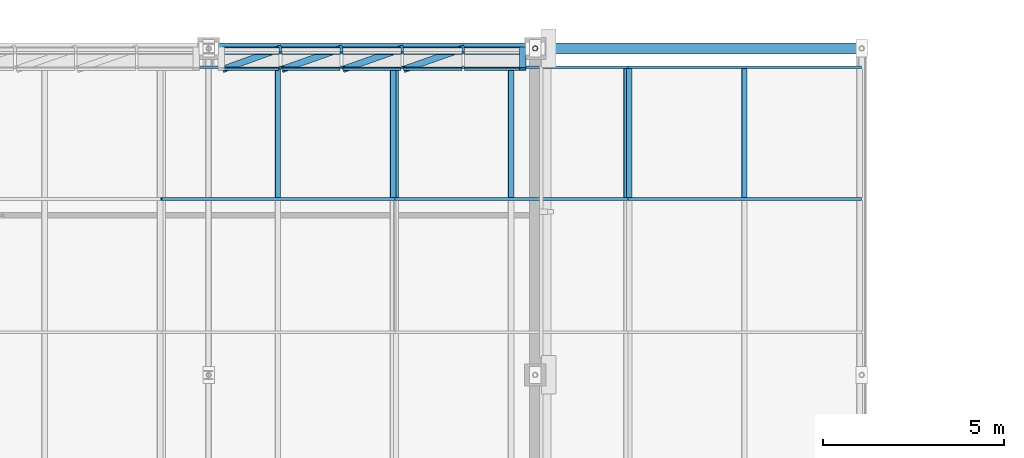
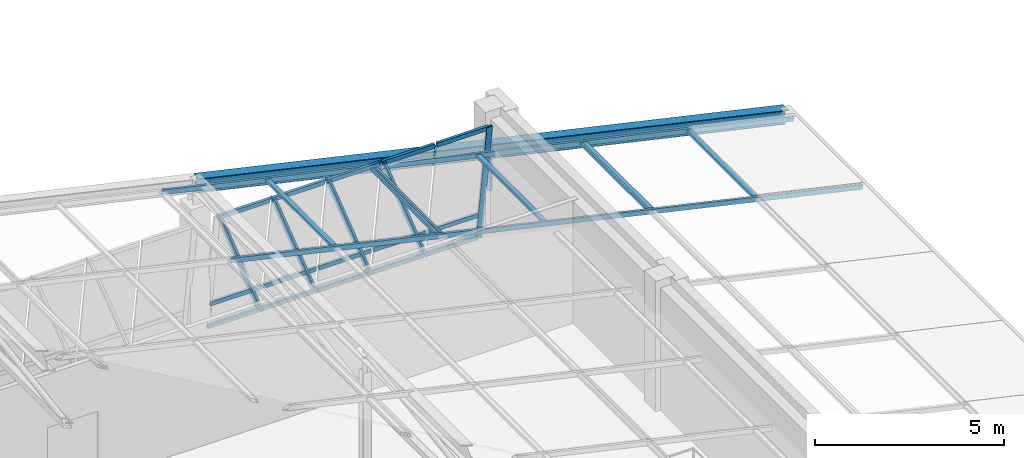
# One storey, part 98 of 130: 36 members, 4 elements without a shape of their own.
"""IFC4 building model written with IfcOpenShell, lengths in metres."""

from ifc_helpers import new_model, si_unit, direction, frame, origin, origin_2d, place, context, subcontext, project, spatial, hollow_rectangle, hollow_circle, i_section, extrude, material, material_profile, profile_set, type_object, element, aggregate, save


model = new_model("IFC4")

# Units and contexts
model_context = context("Model", 3, precision=1e-05, world=origin(), true_north=direction((0.0, 1.0)))
body_context = subcontext(model_context, "Body", "Model", "MODEL_VIEW")
ifc_project = project(units=[si_unit("LENGTHUNIT", "METRE"), si_unit("AREAUNIT", "SQUARE_METRE"), si_unit("VOLUMEUNIT", "CUBIC_METRE"), si_unit("PLANEANGLEUNIT", "RADIAN"), si_unit("MASSUNIT", "GRAM", prefix="KILO")], contexts=[model_context])

# Site, building, storey
site_placement = place(None, origin())
site = spatial("IfcSite", under=ifc_project, at=site_placement, CompositionType="ELEMENT")
building_placement = place(site_placement, origin())
building = spatial("IfcBuilding", under=site, at=building_placement, Name="Lykobir Media Centre", CompositionType="ELEMENT")
storey_placement = place(building_placement, frame((0.0, 0.0, 19.199951171875)))
storey = spatial("IfcBuildingStorey", under=building, at=storey_placement, Name="L04", CompositionType="ELEMENT", Elevation=19.199951171875)

# Member
ifc_material_1 = material(Name="Steel S355", Category="steel")
ifc_material_profile_1 = material_profile(ifc_material_1, hollow_circle(Radius=0.06982421875, WallThickness=0.008056640625, at=origin_2d()), Name="CHS 139.7x8.0")
ifc_profile_set_1 = profile_set([ifc_material_profile_1], Name="Steel S355")
member_type_1 = type_object("IfcMemberType", Name="BR-CHS140", PredefinedType="BRACE", material=ifc_profile_set_1)
member_1_placement = place(storey_placement, frame((72.0, 108.0, 2.780029296875), z_axis=(0.0, 0.0, -1.0), x_axis=(1.0, 0.0, 0.0)))
element("IfcMember", 1, at=member_1_placement, inside=storey, type_object=member_type_1, Name="Diagonal brace MEM2-L04-0720-1080-0220-0720-1080-0495", PredefinedType="BRACE", context=body_context, shape_type="SweptSolid", body=[
    extrude(hollow_circle(Radius=0.06982421875, WallThickness=0.008056640625, at=origin_2d()), origin(), (0.0, 0.0, 1.0), 1.35009765625),
])

# Curtain wall, members
ifc_material_2 = material(Name="Anodized Aluminium AW-6060", Category="aluminium")
curtain_wall_type_1 = type_object("IfcCurtainWallType", Name="CW-V6-CR4", PredefinedType="NOTDEFINED", material=ifc_material_2)
curtain_wall_1_placement = place(storey_placement, origin())
curtain_wall_1 = element("IfcCurtainWall", 2, at=curtain_wall_1_placement, inside=storey, type_object=curtain_wall_type_1, Name="Curtain wall CW2-L04-0166", PredefinedType="NOTDEFINED")
ifc_material_profile_2 = material_profile(ifc_material_2, hollow_rectangle(XDim=0.074951171875, YDim=0.179931640625, WallThickness=0.00390625, at=origin_2d()), Name="ALU MULLION 75x180")
ifc_profile_set_2 = profile_set([ifc_material_profile_2], Name="Anodized Aluminium AW-6060")
member_type_2 = type_object("IfcMemberType", Name="CWM-180", PredefinedType="MULLION", material=ifc_profile_set_2)
member_2_placement = place(storey_placement, frame((64.98291015625, 108.0, 0.0), z_axis=(-0.365976570158, -0.132760683435, 0.921105721961), x_axis=(0.86589329552, 0.314109139953, 0.389312533796)))
member_2 = element("IfcMember", 3, at=member_2_placement, type_object=member_type_2, Name="CW2-L04-0166 mullion 2", PredefinedType="MULLION", context=body_context, shape_type="SweptSolid", body=[
    extrude(hollow_rectangle(XDim=0.074951171875, YDim=0.179931640625, WallThickness=0.00390625, at=origin_2d()), origin(), (0.0, 0.0, 1.0), 4.27734375),
])
member_3_placement = place(storey_placement, frame((66.660888671875, 108.0, 0.0), z_axis=(-0.374579600655, -0.132271466696, 0.917711491631), x_axis=(0.865344548286, 0.305570277716, 0.397247552703)))
member_3 = element("IfcMember", 4, at=member_3_placement, type_object=member_type_2, Name="CW2-L04-0166 mullion 3", PredefinedType="MULLION", context=body_context, shape_type="SweptSolid", body=[
    extrude(hollow_rectangle(XDim=0.074951171875, YDim=0.179931640625, WallThickness=0.00390625, at=origin_2d()), origin(), (0.0, 0.0, 1.0), 4.293212890625),
])
member_4_placement = place(storey_placement, frame((68.339111328125, 108.0, 0.0), z_axis=(-0.374628486657, -0.132268649053, 0.917691942573), x_axis=(0.865340676514, 0.305522527865, 0.397292711407)))
member_4 = element("IfcMember", 5, at=member_4_placement, type_object=member_type_2, Name="CW2-L04-0166 mullion 4", PredefinedType="MULLION", context=body_context, shape_type="SweptSolid", body=[
    extrude(hollow_rectangle(XDim=0.074951171875, YDim=0.179931640625, WallThickness=0.00390625, at=origin_2d()), origin(), (0.0, 0.0, 1.0), 4.293212890625),
])
member_5_placement = place(storey_placement, frame((70.01708984375, 108.0, 0.0), z_axis=(-0.374628486657, -0.132268649053, 0.917691942573), x_axis=(0.865340676514, 0.305522527865, 0.397292711407)))
member_5 = element("IfcMember", 6, at=member_5_placement, type_object=member_type_2, Name="CW2-L04-0166 mullion 5", PredefinedType="MULLION", context=body_context, shape_type="SweptSolid", body=[
    extrude(hollow_rectangle(XDim=0.074951171875, YDim=0.179931640625, WallThickness=0.00390625, at=origin_2d()), origin(), (0.0, 0.0, 1.0), 4.293212890625),
])
member_6_placement = place(storey_placement, frame((71.657470703125, 108.0, 0.0), z_axis=(0.0, -0.142657694389, 0.989772086003), x_axis=(0.0, 0.989772086003, 0.142657694389)))
member_6 = element("IfcMember", 7, at=member_6_placement, type_object=member_type_2, Name="CW2-L04-0166 mullion 6", PredefinedType="MULLION", context=body_context, shape_type="SweptSolid", body=[
    extrude(hollow_rectangle(XDim=0.074951171875, YDim=0.179931640625, WallThickness=0.00390625, at=origin_2d()), origin(), (0.0, 0.0, 1.0), 3.980712890625),
])
ifc_material_profile_3 = material_profile(ifc_material_2, hollow_rectangle(XDim=0.074951171875, YDim=0.14990234375, WallThickness=0.00341796875, at=origin_2d()), Name="ALU TRANSOM 75x150")
ifc_profile_set_3 = profile_set([ifc_material_profile_3], Name="Anodized Aluminium AW-6060")
member_type_3 = type_object("IfcMemberType", Name="CWT-150", PredefinedType="USERDEFINED", material=ifc_profile_set_3)
member_7_placement = place(storey_placement, frame((63.3798828125, 107.99462890625, 0.037109375), z_axis=(1.0, 0.0, 0.0), x_axis=(0.0, 0.989776230908, 0.142628933706)))
member_7 = element("IfcMember", 8, at=member_7_placement, type_object=member_type_3, Name="CW2-L04-0166 transom 1.1", ObjectType="TRANSOM", PredefinedType="USERDEFINED", context=body_context, shape_type="SweptSolid", body=[
    extrude(hollow_rectangle(XDim=0.074951171875, YDim=0.14990234375, WallThickness=0.00341796875, at=origin_2d()), origin(), (0.0, 0.0, 1.0), 1.565673828125),
])
member_8_placement = place(storey_placement, frame((63.3798828125, 107.87890625, 0.84130859375), z_axis=(1.0, 0.0, 0.0), x_axis=(0.0, 0.989776230908, 0.142628933706)))
member_8 = element("IfcMember", 9, at=member_8_placement, type_object=member_type_3, Name="CW2-L04-0166 transom 1.2", ObjectType="TRANSOM", PredefinedType="USERDEFINED", context=body_context, shape_type="SweptSolid", body=[
    extrude(hollow_rectangle(XDim=0.074951171875, YDim=0.14990234375, WallThickness=0.00341796875, at=origin_2d()), origin(), (0.0, 0.0, 1.0), 1.565673828125),
])
member_9_placement = place(storey_placement, frame((63.3798828125, 107.4375, 3.90283203125), z_axis=(1.0, 0.0, 0.0), x_axis=(0.0, 0.989776230908, 0.142628933706)))
member_9 = element("IfcMember", 10, at=member_9_placement, type_object=member_type_3, Name="CW2-L04-0166 transom 1.3", ObjectType="TRANSOM", PredefinedType="USERDEFINED", context=body_context, shape_type="SweptSolid", body=[
    extrude(hollow_rectangle(XDim=0.074951171875, YDim=0.14990234375, WallThickness=0.00341796875, at=origin_2d()), origin(), (0.0, 0.0, 1.0), 1.565673828125),
])
member_10_placement = place(storey_placement, frame((65.0205078125, 107.99462890625, 0.037109375), z_axis=(1.0, 0.0, 0.0), x_axis=(0.0, 0.989776230908, 0.142628933706)))
member_10 = element("IfcMember", 11, at=member_10_placement, type_object=member_type_3, Name="CW2-L04-0166 transom 2.1", ObjectType="TRANSOM", PredefinedType="USERDEFINED", context=body_context, shape_type="SweptSolid", body=[
    extrude(hollow_rectangle(XDim=0.074951171875, YDim=0.14990234375, WallThickness=0.00341796875, at=origin_2d()), origin(), (0.0, 0.0, 1.0), 1.60302734375),
])
member_11_placement = place(storey_placement, frame((65.0205078125, 107.87890625, 0.84130859375), z_axis=(1.0, 0.0, 0.0), x_axis=(0.0, 0.989776230908, 0.142628933706)))
member_11 = element("IfcMember", 12, at=member_11_placement, type_object=member_type_3, Name="CW2-L04-0166 transom 2.2", ObjectType="TRANSOM", PredefinedType="USERDEFINED", context=body_context, shape_type="SweptSolid", body=[
    extrude(hollow_rectangle(XDim=0.074951171875, YDim=0.14990234375, WallThickness=0.00341796875, at=origin_2d()), origin(), (0.0, 0.0, 1.0), 1.60302734375),
])
member_12_placement = place(storey_placement, frame((65.0205078125, 107.4375, 3.90283203125), z_axis=(1.0, 0.0, 0.0), x_axis=(0.0, 0.989776230908, 0.142628933706)))
member_12 = element("IfcMember", 13, at=member_12_placement, type_object=member_type_3, Name="CW2-L04-0166 transom 2.3", ObjectType="TRANSOM", PredefinedType="USERDEFINED", context=body_context, shape_type="SweptSolid", body=[
    extrude(hollow_rectangle(XDim=0.074951171875, YDim=0.14990234375, WallThickness=0.00341796875, at=origin_2d()), origin(), (0.0, 0.0, 1.0), 1.60302734375),
])
member_13_placement = place(storey_placement, frame((66.698486328125, 107.99462890625, 0.037109375), z_axis=(1.0, 0.0, 0.0), x_axis=(0.0, 0.989776230908, 0.142628933706)))
member_13 = element("IfcMember", 14, at=member_13_placement, type_object=member_type_3, Name="CW2-L04-0166 transom 3.1", ObjectType="TRANSOM", PredefinedType="USERDEFINED", context=body_context, shape_type="SweptSolid", body=[
    extrude(hollow_rectangle(XDim=0.074951171875, YDim=0.14990234375, WallThickness=0.00341796875, at=origin_2d()), origin(), (0.0, 0.0, 1.0), 1.60302734375),
])
member_14_placement = place(storey_placement, frame((66.698486328125, 107.87890625, 0.84130859375), z_axis=(1.0, 0.0, 0.0), x_axis=(0.0, 0.989776230908, 0.142628933706)))
member_14 = element("IfcMember", 15, at=member_14_placement, type_object=member_type_3, Name="CW2-L04-0166 transom 3.2", ObjectType="TRANSOM", PredefinedType="USERDEFINED", context=body_context, shape_type="SweptSolid", body=[
    extrude(hollow_rectangle(XDim=0.074951171875, YDim=0.14990234375, WallThickness=0.00341796875, at=origin_2d()), origin(), (0.0, 0.0, 1.0), 1.60302734375),
])
member_15_placement = place(storey_placement, frame((66.698486328125, 107.4375, 3.90283203125), z_axis=(1.0, 0.0, 0.0), x_axis=(0.0, 0.989776230908, 0.142628933706)))
member_15 = element("IfcMember", 16, at=member_15_placement, type_object=member_type_3, Name="CW2-L04-0166 transom 3.3", ObjectType="TRANSOM", PredefinedType="USERDEFINED", context=body_context, shape_type="SweptSolid", body=[
    extrude(hollow_rectangle(XDim=0.074951171875, YDim=0.14990234375, WallThickness=0.00341796875, at=origin_2d()), origin(), (0.0, 0.0, 1.0), 1.60302734375),
])
member_16_placement = place(storey_placement, frame((68.37646484375, 107.99462890625, 0.037109375), z_axis=(1.0, 0.0, 0.0), x_axis=(0.0, 0.989776230908, 0.142628933706)))
member_16 = element("IfcMember", 17, at=member_16_placement, type_object=member_type_3, Name="CW2-L04-0166 transom 4.1", ObjectType="TRANSOM", PredefinedType="USERDEFINED", context=body_context, shape_type="SweptSolid", body=[
    extrude(hollow_rectangle(XDim=0.074951171875, YDim=0.14990234375, WallThickness=0.00341796875, at=origin_2d()), origin(), (0.0, 0.0, 1.0), 1.60302734375),
])
member_17_placement = place(storey_placement, frame((68.37646484375, 107.87890625, 0.84130859375), z_axis=(1.0, 0.0, 0.0), x_axis=(0.0, 0.989776230908, 0.142628933706)))
member_17 = element("IfcMember", 18, at=member_17_placement, type_object=member_type_3, Name="CW2-L04-0166 transom 4.2", ObjectType="TRANSOM", PredefinedType="USERDEFINED", context=body_context, shape_type="SweptSolid", body=[
    extrude(hollow_rectangle(XDim=0.074951171875, YDim=0.14990234375, WallThickness=0.00341796875, at=origin_2d()), origin(), (0.0, 0.0, 1.0), 1.60302734375),
])
member_18_placement = place(storey_placement, frame((68.37646484375, 107.4375, 3.90283203125), z_axis=(1.0, 0.0, 0.0), x_axis=(0.0, 0.989776230908, 0.142628933706)))
member_18 = element("IfcMember", 19, at=member_18_placement, type_object=member_type_3, Name="CW2-L04-0166 transom 4.3", ObjectType="TRANSOM", PredefinedType="USERDEFINED", context=body_context, shape_type="SweptSolid", body=[
    extrude(hollow_rectangle(XDim=0.074951171875, YDim=0.14990234375, WallThickness=0.00341796875, at=origin_2d()), origin(), (0.0, 0.0, 1.0), 1.60302734375),
])
member_19_placement = place(storey_placement, frame((70.054443359375, 107.99462890625, 0.037109375), z_axis=(1.0, 0.0, 0.0), x_axis=(0.0, 0.989776230908, 0.142628933706)))
member_19 = element("IfcMember", 20, at=member_19_placement, type_object=member_type_3, Name="CW2-L04-0166 transom 5.1", ObjectType="TRANSOM", PredefinedType="USERDEFINED", context=body_context, shape_type="SweptSolid", body=[
    extrude(hollow_rectangle(XDim=0.074951171875, YDim=0.14990234375, WallThickness=0.00341796875, at=origin_2d()), origin(), (0.0, 0.0, 1.0), 1.565673828125),
])
member_20_placement = place(storey_placement, frame((70.054443359375, 107.87890625, 0.84130859375), z_axis=(1.0, 0.0, 0.0), x_axis=(0.0, 0.989776230908, 0.142628933706)))
member_20 = element("IfcMember", 21, at=member_20_placement, type_object=member_type_3, Name="CW2-L04-0166 transom 5.2", ObjectType="TRANSOM", PredefinedType="USERDEFINED", context=body_context, shape_type="SweptSolid", body=[
    extrude(hollow_rectangle(XDim=0.074951171875, YDim=0.14990234375, WallThickness=0.00341796875, at=origin_2d()), origin(), (0.0, 0.0, 1.0), 1.565673828125),
])
member_21_placement = place(storey_placement, frame((70.054443359375, 107.4375, 3.90283203125), z_axis=(1.0, 0.0, 0.0), x_axis=(0.0, 0.989776230908, 0.142628933706)))
member_21 = element("IfcMember", 22, at=member_21_placement, type_object=member_type_3, Name="CW2-L04-0166 transom 5.3", ObjectType="TRANSOM", PredefinedType="USERDEFINED", context=body_context, shape_type="SweptSolid", body=[
    extrude(hollow_rectangle(XDim=0.074951171875, YDim=0.14990234375, WallThickness=0.00341796875, at=origin_2d()), origin(), (0.0, 0.0, 1.0), 1.565673828125),
])
aggregate(curtain_wall_1, [member_2, member_3, member_4, member_5, member_6, member_7, member_8, member_9, member_10, member_11, member_12, member_13, member_14, member_15, member_16, member_17, member_18, member_19, member_20, member_21])

curtain_wall_type_2 = type_object("IfcCurtainWallType", Name="CW-V6-SKY", PredefinedType="NOTDEFINED", material=ifc_material_2)
curtain_wall_2_placement = place(storey_placement, origin())
curtain_wall_2 = element("IfcCurtainWall", 23, at=curtain_wall_2_placement, inside=storey, type_object=curtain_wall_type_2, Name="Curtain wall CW-V6-SKY01", PredefinedType="NOTDEFINED")
member_22_placement = place(storey_placement, frame((80.977783203125, 107.482421875, 0.901611328125), z_axis=(-0.97526330388, 0.0, 0.221046348318), x_axis=(0.0, -1.0, 0.0)))
member_22 = element("IfcMember", 24, at=member_22_placement, type_object=member_type_3, Name="CW-V6-SKY01 rafter transom 1", ObjectType="TRANSOM", PredefinedType="USERDEFINED", context=body_context, shape_type="SweptSolid", body=[
    extrude(hollow_rectangle(XDim=0.074951171875, YDim=0.14990234375, WallThickness=0.00341796875, at=origin_2d()), origin(), (0.0, 0.0, 1.0), 6.591552734375),
])
member_23_placement = place(storey_placement, frame((80.977783203125, 103.85009765625, 0.901611328125), z_axis=(-0.97526330388, 0.0, 0.221046348318), x_axis=(0.0, -1.0, 0.0)))
member_23 = element("IfcMember", 25, at=member_23_placement, type_object=member_type_3, Name="CW-V6-SKY01 rafter transom 2", ObjectType="TRANSOM", PredefinedType="USERDEFINED", context=body_context, shape_type="SweptSolid", body=[
    extrude(hollow_rectangle(XDim=0.074951171875, YDim=0.14990234375, WallThickness=0.00341796875, at=origin_2d()), origin(), (0.0, 0.0, 1.0), 6.591552734375),
])
member_24_placement = place(storey_placement, frame((77.763427734375, 107.445068359375, 1.630126953125), z_axis=(0.0, -1.0, 0.0), x_axis=(0.221054901821, 0.0, 0.975261365164)))
member_24 = element("IfcMember", 26, at=member_24_placement, type_object=member_type_3, Name="CW-V6-SKY01 transom 1.2", ObjectType="TRANSOM", PredefinedType="USERDEFINED", context=body_context, shape_type="SweptSolid", body=[
    extrude(hollow_rectangle(XDim=0.074951171875, YDim=0.14990234375, WallThickness=0.00341796875, at=origin_2d()), origin(), (0.0, 0.0, 1.0), 3.5576171875),
])
member_25_placement = place(storey_placement, frame((74.585693359375, 107.445068359375, 2.350341796875), z_axis=(0.0, -1.0, 0.0), x_axis=(0.221054901821, 0.0, 0.975261365164)))
member_25 = element("IfcMember", 27, at=member_25_placement, type_object=member_type_3, Name="CW-V6-SKY01 transom 1.3", ObjectType="TRANSOM", PredefinedType="USERDEFINED", context=body_context, shape_type="SweptSolid", body=[
    extrude(hollow_rectangle(XDim=0.074951171875, YDim=0.14990234375, WallThickness=0.00341796875, at=origin_2d()), origin(), (0.0, 0.0, 1.0), 3.5576171875),
])
aggregate(curtain_wall_2, [member_22, member_23, member_24, member_25])

curtain_wall_3_placement = place(storey_placement, origin())
curtain_wall_3 = element("IfcCurtainWall", 28, at=curtain_wall_3_placement, inside=storey, type_object=curtain_wall_type_2, Name="Curtain wall CW-V6-SKY02", PredefinedType="NOTDEFINED")
member_26_placement = place(storey_placement, frame((74.549072265625, 107.482421875, 2.358642578125), z_axis=(-0.975255318588, 0.0, 0.221081576721), x_axis=(0.0, -1.0, 0.0)))
member_26 = element("IfcMember", 29, at=member_26_placement, type_object=member_type_3, Name="CW-V6-SKY02 rafter transom 1", ObjectType="TRANSOM", PredefinedType="USERDEFINED", context=body_context, shape_type="SweptSolid", body=[
    extrude(hollow_rectangle(XDim=0.074951171875, YDim=0.14990234375, WallThickness=0.00341796875, at=origin_2d()), origin(), (0.0, 0.0, 1.0), 6.591552734375),
])
member_27_placement = place(storey_placement, frame((74.549072265625, 103.85009765625, 2.358642578125), z_axis=(-0.975255318588, 0.0, 0.221081576721), x_axis=(0.0, -1.0, 0.0)))
member_27 = element("IfcMember", 30, at=member_27_placement, type_object=member_type_3, Name="CW-V6-SKY02 rafter transom 2", ObjectType="TRANSOM", PredefinedType="USERDEFINED", context=body_context, shape_type="SweptSolid", body=[
    extrude(hollow_rectangle(XDim=0.074951171875, YDim=0.14990234375, WallThickness=0.00341796875, at=origin_2d()), origin(), (0.0, 0.0, 1.0), 6.591552734375),
])
member_28_placement = place(storey_placement, frame((74.512451171875, 107.445068359375, 2.366943359375), z_axis=(0.0, -1.0, 0.0), x_axis=(0.221071923309, 0.0, 0.975257506879)))
member_28 = element("IfcMember", 31, at=member_28_placement, type_object=member_type_3, Name="CW-V6-SKY02 transom 1.1", ObjectType="TRANSOM", PredefinedType="USERDEFINED", context=body_context, shape_type="SweptSolid", body=[
    extrude(hollow_rectangle(XDim=0.074951171875, YDim=0.14990234375, WallThickness=0.00341796875, at=origin_2d()), origin(), (0.0, 0.0, 1.0), 3.5576171875),
])
member_29_placement = place(storey_placement, frame((71.334716796875, 107.445068359375, 3.087158203125), z_axis=(0.0, -1.0, 0.0), x_axis=(0.221071923309, 0.0, 0.975257506879)))
member_29 = element("IfcMember", 32, at=member_29_placement, type_object=member_type_3, Name="CW-V6-SKY02 transom 1.2", ObjectType="TRANSOM", PredefinedType="USERDEFINED", context=body_context, shape_type="SweptSolid", body=[
    extrude(hollow_rectangle(XDim=0.074951171875, YDim=0.14990234375, WallThickness=0.00341796875, at=origin_2d()), origin(), (0.0, 0.0, 1.0), 3.5576171875),
])
member_30_placement = place(storey_placement, frame((68.1572265625, 107.445068359375, 3.8076171875), z_axis=(0.0, -1.0, 0.0), x_axis=(0.221071923309, 0.0, 0.975257506879)))
member_30 = element("IfcMember", 33, at=member_30_placement, type_object=member_type_3, Name="CW-V6-SKY02 transom 1.3", ObjectType="TRANSOM", PredefinedType="USERDEFINED", context=body_context, shape_type="SweptSolid", body=[
    extrude(hollow_rectangle(XDim=0.074951171875, YDim=0.14990234375, WallThickness=0.00341796875, at=origin_2d()), origin(), (0.0, 0.0, 1.0), 3.5576171875),
])
aggregate(curtain_wall_3, [member_26, member_27, member_28, member_29, member_30])

curtain_wall_4_placement = place(storey_placement, origin())
curtain_wall_4 = element("IfcCurtainWall", 34, at=curtain_wall_4_placement, inside=storey, type_object=curtain_wall_type_2, Name="Curtain wall CW-V6-SKY03", PredefinedType="NOTDEFINED")
member_31_placement = place(storey_placement, frame((68.12060546875, 107.482421875, 3.81591796875), z_axis=(-0.97526330388, 0.0, 0.221046348318), x_axis=(0.0, -1.0, 0.0)))
member_31 = element("IfcMember", 35, at=member_31_placement, type_object=member_type_3, Name="CW-V6-SKY03 rafter transom 1", ObjectType="TRANSOM", PredefinedType="USERDEFINED", context=body_context, shape_type="SweptSolid", body=[
    extrude(hollow_rectangle(XDim=0.074951171875, YDim=0.14990234375, WallThickness=0.00341796875, at=origin_2d()), origin(), (0.0, 0.0, 1.0), 6.591552734375),
])
member_32_placement = place(storey_placement, frame((68.12060546875, 103.85009765625, 3.81591796875), z_axis=(-0.97526330388, 0.0, 0.221046348318), x_axis=(0.0, -1.0, 0.0)))
member_32 = element("IfcMember", 36, at=member_32_placement, type_object=member_type_3, Name="CW-V6-SKY03 rafter transom 2", ObjectType="TRANSOM", PredefinedType="USERDEFINED", context=body_context, shape_type="SweptSolid", body=[
    extrude(hollow_rectangle(XDim=0.074951171875, YDim=0.14990234375, WallThickness=0.00341796875, at=origin_2d()), origin(), (0.0, 0.0, 1.0), 6.591552734375),
])
member_33_placement = place(storey_placement, frame((68.083984375, 107.445068359375, 3.82421875), z_axis=(0.0, -1.0, 0.0), x_axis=(0.221054901821, 0.0, 0.975261365164)))
member_33 = element("IfcMember", 37, at=member_33_placement, type_object=member_type_3, Name="CW-V6-SKY03 transom 1.1", ObjectType="TRANSOM", PredefinedType="USERDEFINED", context=body_context, shape_type="SweptSolid", body=[
    extrude(hollow_rectangle(XDim=0.074951171875, YDim=0.14990234375, WallThickness=0.00341796875, at=origin_2d()), origin(), (0.0, 0.0, 1.0), 3.5576171875),
])
member_34_placement = place(storey_placement, frame((64.90625, 107.445068359375, 4.54443359375), z_axis=(0.0, -1.0, 0.0), x_axis=(0.221054901821, 0.0, 0.975261365164)))
member_34 = element("IfcMember", 38, at=member_34_placement, type_object=member_type_3, Name="CW-V6-SKY03 transom 1.2", ObjectType="TRANSOM", PredefinedType="USERDEFINED", context=body_context, shape_type="SweptSolid", body=[
    extrude(hollow_rectangle(XDim=0.074951171875, YDim=0.14990234375, WallThickness=0.00341796875, at=origin_2d()), origin(), (0.0, 0.0, 1.0), 3.5576171875),
])
aggregate(curtain_wall_4, [member_31, member_32, member_33, member_34])

# Members
ifc_material_profile_4 = material_profile(ifc_material_1, i_section(OverallWidth=0.300048828125, OverallDepth=0.43994140625, WebThickness=0.011474609375, FlangeThickness=0.02099609375, at=origin_2d()), Name="HEA 450")
ifc_profile_set_4 = profile_set([ifc_material_profile_4], Name="Steel S355")
member_type_4 = type_object("IfcMemberType", Name="TC-HEA450-E", PredefinedType="CHORD", material=ifc_profile_set_4)
for number, where, z_axis, x_axis, name in (
    (39, (63.0, 108.0, 4.780029296875), (0.975259516727, 0.0, -0.221063056689), (0.0, 1.0, 0.0), "Truss chord MEM2-L04-0630-1080-0240-0720-1080-0429"),
    (40, (72.0, 108.0, 2.739990234375), (0.975259516727, 0.0, -0.221063056689), (0.0, 1.0, 0.0), "Truss chord MEM2-L04-0720-1080-0219-0810-1080-0430"),
):
    element("IfcMember", number, at=place(storey_placement, frame(where, z_axis=z_axis, x_axis=x_axis)), inside=storey, type_object=member_type_4, Name=name, PredefinedType="CHORD", context=body_context, shape_type="SweptSolid", body=[
        extrude(i_section(OverallWidth=0.300048828125, OverallDepth=0.43994140625, WebThickness=0.011474609375, FlangeThickness=0.02099609375, at=origin_2d()), origin(), (0.0, 0.0, 1.0), 9.228271484375),
    ])

save(model, "model.ifc")
